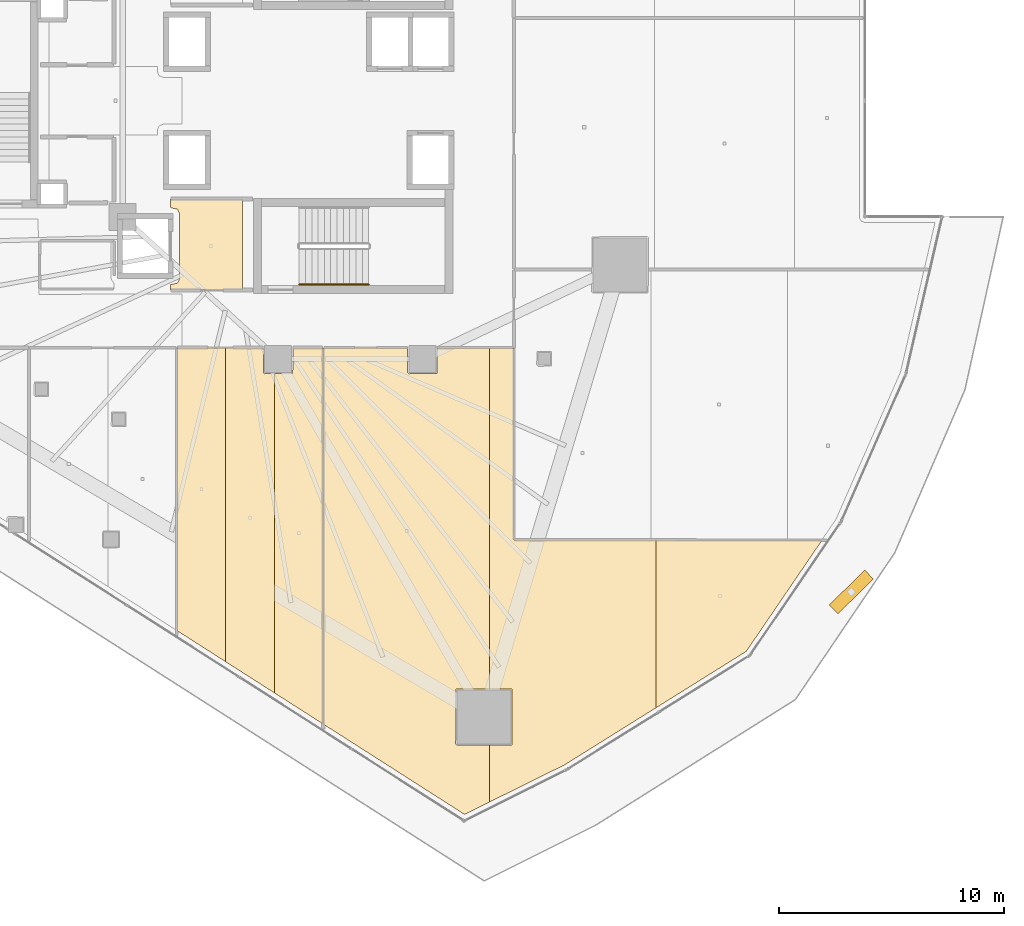
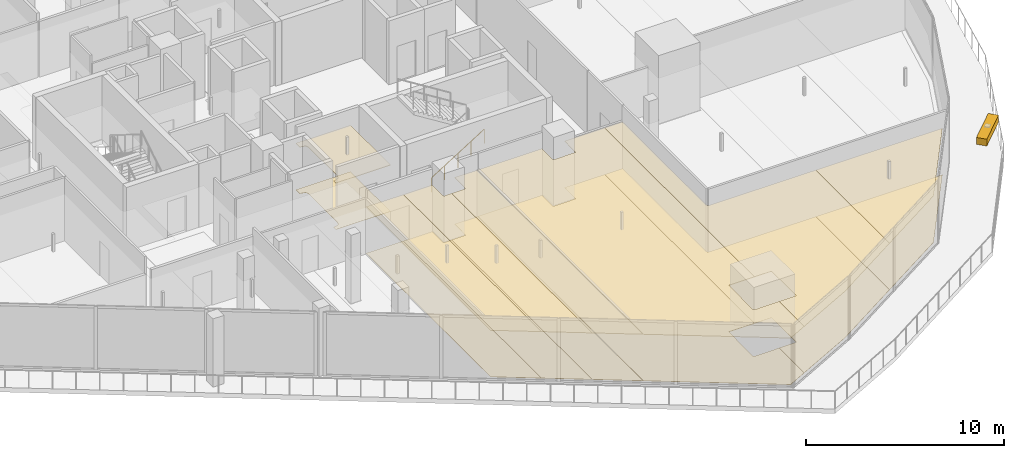
# One storey, part 40 of 46: 14 coverings, 1 railing, 1 shading device.
"""IFC4 building model written with IfcOpenShell, lengths in metres."""

from ifc_helpers import new_model, si_unit, direction, frame, origin, origin_2d, place, context, subcontext, project, spatial, polyline, rectangle, circle, outline, extrude, material, layer, layer_set, type_object, element, save


model = new_model("IFC4")

# Units and contexts
model_context = context("Model", 3, precision=1e-05, world=origin(), true_north=direction((0.0, 1.0)))
body_context = subcontext(model_context, "Body", "Model", "MODEL_VIEW")
ifc_project = project(units=[si_unit("LENGTHUNIT", "METRE"), si_unit("AREAUNIT", "SQUARE_METRE"), si_unit("VOLUMEUNIT", "CUBIC_METRE"), si_unit("PLANEANGLEUNIT", "RADIAN"), si_unit("MASSUNIT", "GRAM", prefix="KILO")], contexts=[model_context])

# Site, building, storey
site_placement = place(None, origin())
site = spatial("IfcSite", under=ifc_project, at=site_placement, CompositionType="ELEMENT")
building_placement = place(site_placement, origin())
building = spatial("IfcBuilding", under=site, at=building_placement, Name="Qorvath Tower", CompositionType="ELEMENT")
storey_placement = place(building_placement, frame((0.0, 0.0, 87.0)))
storey = spatial("IfcBuildingStorey", under=building, at=storey_placement, Name="L19", CompositionType="ELEMENT", Elevation=87.0)

# Coverings
ifc_material_1 = material(Name="Acoustic mineral fibre ceiling tile", Category="gypsum")
ifc_layer_1 = layer(ifc_material_1, 0.030029296875)
ifc_layer_set_1 = layer_set([ifc_layer_1], Name="COV-CEIL")
covering_type_1 = type_object("IfcCoveringType", Name="COV-CEIL", PredefinedType="CEILING", material=ifc_layer_set_1)
covering_1_placement = place(storey_placement, frame((0.0, 0.0, 2.85009765625)))
element("IfcCovering", 1, at=covering_1_placement, inside=storey, type_object=covering_type_1, Name="L19 Suspended Acoustic Ceiling 002", PredefinedType="CEILING", context=body_context, shape_type="SweptSolid", body=[
    extrude(outline(polyline([(-25.18994140625, -8.39501953125), (-25.18994140625, -4.35498046875), (-28.375, -4.35498046875), (-28.375, -4.739990234375), (-28.063232421875, -4.813232421875), (-27.989990234375, -4.989990234375), (-27.989990234375, -7.909912109375), (-28.063232421875, -8.086669921875), (-28.375, -8.159912109375), (-28.375, -8.39501953125), (-25.18994140625, -8.39501953125)])), origin(), (0.0, 0.0, 1.0), 0.030029296875),
])
covering_2_placement = place(storey_placement, frame((0.0, 0.0, 2.85009765625)))
element("IfcCovering", 2, at=covering_2_placement, inside=storey, type_object=covering_type_1, Name="L19 Suspended Acoustic Ceiling 022", PredefinedType="CEILING", context=body_context, shape_type="SweptSolid", body=[
    extrude(outline(polyline([(-25.9296875, -24.88818359375), (-25.9296875, -10.962890625), (-28.0888671875, -10.962890625), (-28.0888671875, -23.508056640625), (-25.9296875, -24.88818359375)])), origin(), (0.0, 0.0, 1.0), 0.030029296875),
])
covering_3_placement = place(storey_placement, frame((0.0, 0.0, 2.85009765625)))
element("IfcCovering", 3, at=covering_3_placement, inside=storey, type_object=covering_type_1, Name="L19 Suspended Acoustic Ceiling 023", PredefinedType="CEILING", context=body_context, shape_type="SweptSolid", body=[
    extrude(outline(polyline([(-23.7705078125, -26.26806640625), (-23.7705078125, -12.10400390625), (-24.199951171875, -12.110107421875), (-24.260009765625, -12.050048828125), (-24.260009765625, -10.962890625), (-25.9296875, -10.962890625), (-25.9296875, -24.88818359375), (-23.7705078125, -26.26806640625)])), origin(), (0.0, 0.0, 1.0), 0.030029296875),
])
covering_4_placement = place(storey_placement, frame((0.0, 0.0, 2.85009765625)))
element("IfcCovering", 4, at=covering_4_placement, inside=storey, type_object=covering_type_1, Name="L19 Suspended Acoustic Ceiling 024", PredefinedType="CEILING", context=body_context, shape_type="SweptSolid", body=[
    extrude(outline(polyline([(-21.611328125, -27.648193359375), (-21.611328125, -10.962890625), (-22.93994140625, -10.962890625), (-22.95751953125, -12.092529296875), (-23.7705078125, -12.10400390625), (-23.7705078125, -26.26806640625), (-21.611328125, -27.648193359375)])), origin(), (0.0, 0.0, 1.0), 0.030029296875),
])
covering_5_placement = place(storey_placement, frame((0.0, 0.0, 2.85009765625)))
element("IfcCovering", 5, at=covering_5_placement, inside=storey, type_object=covering_type_1, Name="L19 Suspended Acoustic Ceiling 025", PredefinedType="CEILING", context=body_context, shape_type="SweptSolid", body=[
    extrude(outline(polyline([(-21.59326171875, -27.65966796875), (-15.33349609375, -31.660400390625), (-14.221435546875, -31.10986328125), (-14.221435546875, -28.580322265625), (-15.664306640625, -28.5908203125), (-15.724365234375, -28.53076171875), (-15.706787109375, -26.08837890625), (-14.221435546875, -26.08837890625), (-14.221435546875, -10.962890625), (-16.5400390625, -10.962890625), (-16.5576171875, -12.092529296875), (-17.800048828125, -12.110107421875), (-17.860107421875, -12.050048828125), (-17.860107421875, -10.962890625), (-21.59326171875, -10.962890625), (-21.59326171875, -27.65966796875)])), origin(), (0.0, 0.0, 1.0), 0.030029296875),
])
covering_6_placement = place(storey_placement, frame((0.0, 0.0, 2.85009765625)))
element("IfcCovering", 6, at=covering_6_placement, inside=storey, type_object=covering_type_1, Name="L19 Suspended Acoustic Ceiling 026", PredefinedType="CEILING", context=body_context, shape_type="SweptSolid", body=[
    extrude(outline(polyline([(-14.221435546875, -10.962890625), (-14.221435546875, -26.08837890625), (-13.221923828125, -26.08837890625), (-13.221923828125, -28.5732421875), (-14.221435546875, -28.580322265625), (-14.221435546875, -31.10986328125), (-10.8984375, -29.465087890625), (-6.849609375, -26.9365234375), (-6.849609375, -19.495849609375), (-13.14990234375, -19.48828125), (-13.155029296875, -10.962890625), (-14.221435546875, -10.962890625)])), origin(), (0.0, 0.0, 1.0), 0.030029296875),
])
covering_7_placement = place(storey_placement, frame((0.0, 0.0, 2.85009765625)))
element("IfcCovering", 7, at=covering_7_placement, inside=storey, type_object=covering_type_1, Name="L19 Suspended Acoustic Ceiling 027", PredefinedType="CEILING", context=body_context, shape_type="SweptSolid", body=[
    extrude(outline(polyline([(-6.849609375, -19.495849609375), (-6.849609375, -26.9365234375), (-2.834228515625, -24.428955078125), (0.522216796875, -19.504638671875), (-6.849609375, -19.495849609375)])), origin(), (0.0, 0.0, 1.0), 0.030029296875),
])
ifc_material_2 = material(Name="Low-VOC modular carpet tile", Category="textile")
ifc_layer_2 = layer(ifc_material_2, 0.014892578125)
ifc_layer_set_2 = layer_set([ifc_layer_2], Name="COV-FLOOR-CPT")
covering_type_2 = type_object("IfcCoveringType", Name="COV-FLOOR-CPT", PredefinedType="FLOORING", material=ifc_layer_set_2)
covering_8_placement = place(storey_placement, origin())
element("IfcCovering", 8, at=covering_8_placement, inside=storey, type_object=covering_type_2, Name="L19 Floor Finish 022", PredefinedType="FLOORING", context=body_context, shape_type="SweptSolid", body=[
    extrude(outline(polyline([(-25.9296875, -24.88818359375), (-25.9296875, -10.962890625), (-28.0888671875, -10.962890625), (-28.0888671875, -23.508056640625), (-25.9296875, -24.88818359375)])), origin(), (0.0, 0.0, 1.0), 0.014892578125),
])
covering_9_placement = place(storey_placement, origin())
element("IfcCovering", 9, at=covering_9_placement, inside=storey, type_object=covering_type_2, Name="L19 Floor Finish 023", PredefinedType="FLOORING", context=body_context, shape_type="SweptSolid", body=[
    extrude(outline(polyline([(-23.7705078125, -26.26806640625), (-23.7705078125, -12.10400390625), (-24.199951171875, -12.110107421875), (-24.260009765625, -12.050048828125), (-24.260009765625, -10.962890625), (-25.9296875, -10.962890625), (-25.9296875, -24.88818359375), (-23.7705078125, -26.26806640625)])), origin(), (0.0, 0.0, 1.0), 0.014892578125),
])
covering_10_placement = place(storey_placement, origin())
element("IfcCovering", 10, at=covering_10_placement, inside=storey, type_object=covering_type_2, Name="L19 Floor Finish 024", PredefinedType="FLOORING", context=body_context, shape_type="SweptSolid", body=[
    extrude(outline(polyline([(-21.611328125, -27.648193359375), (-21.611328125, -10.962890625), (-22.93994140625, -10.962890625), (-22.95751953125, -12.092529296875), (-23.7705078125, -12.10400390625), (-23.7705078125, -26.26806640625), (-21.611328125, -27.648193359375)])), origin(), (0.0, 0.0, 1.0), 0.014892578125),
])
covering_11_placement = place(storey_placement, origin())
element("IfcCovering", 11, at=covering_11_placement, inside=storey, type_object=covering_type_2, Name="L19 Floor Finish 025", PredefinedType="FLOORING", context=body_context, shape_type="SweptSolid", body=[
    extrude(outline(polyline([(-21.59326171875, -27.65966796875), (-15.33349609375, -31.660400390625), (-14.221435546875, -31.10986328125), (-14.221435546875, -28.580322265625), (-15.664306640625, -28.5908203125), (-15.724365234375, -28.53076171875), (-15.706787109375, -26.08837890625), (-14.221435546875, -26.08837890625), (-14.221435546875, -10.962890625), (-16.5400390625, -10.962890625), (-16.5576171875, -12.092529296875), (-17.800048828125, -12.110107421875), (-17.860107421875, -12.050048828125), (-17.860107421875, -10.962890625), (-21.59326171875, -10.962890625), (-21.59326171875, -27.65966796875)])), origin(), (0.0, 0.0, 1.0), 0.014892578125),
])
covering_12_placement = place(storey_placement, origin())
element("IfcCovering", 12, at=covering_12_placement, inside=storey, type_object=covering_type_2, Name="L19 Floor Finish 026", PredefinedType="FLOORING", context=body_context, shape_type="SweptSolid", body=[
    extrude(outline(polyline([(-14.221435546875, -10.962890625), (-14.221435546875, -26.08837890625), (-13.221923828125, -26.08837890625), (-13.221923828125, -28.5732421875), (-14.221435546875, -28.580322265625), (-14.221435546875, -31.10986328125), (-10.8984375, -29.465087890625), (-6.849609375, -26.9365234375), (-6.849609375, -19.495849609375), (-13.14990234375, -19.48828125), (-13.155029296875, -10.962890625), (-14.221435546875, -10.962890625)])), origin(), (0.0, 0.0, 1.0), 0.014892578125),
])
covering_13_placement = place(storey_placement, origin())
element("IfcCovering", 13, at=covering_13_placement, inside=storey, type_object=covering_type_2, Name="L19 Floor Finish 027", PredefinedType="FLOORING", context=body_context, shape_type="SweptSolid", body=[
    extrude(outline(polyline([(-6.849609375, -19.495849609375), (-6.849609375, -26.9365234375), (-2.834228515625, -24.428955078125), (0.522216796875, -19.504638671875), (-6.849609375, -19.495849609375)])), origin(), (0.0, 0.0, 1.0), 0.014892578125),
])
ifc_material_3 = material(Name="Polished epoxy terrazzo flooring", Category="concrete")
ifc_layer_3 = layer(ifc_material_3, 0.02001953125)
ifc_layer_set_3 = layer_set([ifc_layer_3], Name="COV-FLOOR-TRZ")
covering_type_3 = type_object("IfcCoveringType", Name="COV-FLOOR-TRZ", PredefinedType="FLOORING", material=ifc_layer_set_3)
covering_14_placement = place(storey_placement, origin())
element("IfcCovering", 14, at=covering_14_placement, inside=storey, type_object=covering_type_3, Name="L19 Floor Finish 002", PredefinedType="FLOORING", context=body_context, shape_type="SweptSolid", body=[
    extrude(outline(polyline([(-25.18994140625, -8.39501953125), (-25.18994140625, -4.35498046875), (-28.375, -4.35498046875), (-28.375, -4.739990234375), (-28.063232421875, -4.813232421875), (-27.989990234375, -4.989990234375), (-27.989990234375, -7.909912109375), (-28.063232421875, -8.086669921875), (-28.375, -8.159912109375), (-28.375, -8.39501953125), (-25.18994140625, -8.39501953125)])), origin(), (0.0, 0.0, 1.0), 0.014892578125),
])

# Railing
ifc_material_4 = material(Name="Brushed stainless steel AISI 304", Category="steel")
railing_type = type_object("IfcRailingType", Name="RL-STR-HND", PredefinedType="HANDRAIL", material=ifc_material_4)
railing_placement = place(storey_placement, frame((-22.669921875, -8.14990234375, 0.175048828125)))
element("IfcRailing", 15, at=railing_placement, inside=storey, type_object=railing_type, Name="L19 TS2 stair handrail 1", PredefinedType="HANDRAIL", context=body_context, shape_type="SweptSolid", body=[
    extrude(circle(Radius=0.02392578125, at=origin_2d()), frame((0.0, 0.0, 0.8759765625), z_axis=(0.847979421464, 0.0, 0.530029150871), x_axis=(0.0, 1.0, 0.0)), (0.0, 0.0, 1.0), 3.632080078125),
    extrude(circle(Radius=0.02099609375, at=origin_2d()), origin(), (0.0, 0.0, 1.0), 0.851806640625),
    extrude(circle(Radius=0.02099609375, at=origin_2d()), frame((0.77001953125, 0.0, 0.481201171875)), (0.0, 0.0, 1.0), 0.851806640625),
    extrude(circle(Radius=0.02099609375, at=origin_2d()), frame((1.5400390625, 0.0, 0.96240234375)), (0.0, 0.0, 1.0), 0.851806640625),
    extrude(circle(Radius=0.02099609375, at=origin_2d()), frame((2.309814453125, 0.0, 1.44384765625)), (0.0, 0.0, 1.0), 0.851806640625),
    extrude(circle(Radius=0.02099609375, at=origin_2d()), frame((3.079833984375, 0.0, 1.925048828125)), (0.0, 0.0, 1.0), 0.851806640625),
])

# Shading device
ifc_material_5 = material(Name="Anodised bronze-champagne aluminium", Category="aluminium")
shading_device_type = type_object("IfcShadingDeviceType", Name="SD-LOUVRE", PredefinedType="JALOUSIE", material=ifc_material_5)
shading_device_placement = place(storey_placement, frame((1.830078125, -21.790771484375, 3.5), z_axis=(0.0, 0.0, 1.0), x_axis=(0.714643618308, 0.699488741019, 0.0)))
element("IfcShadingDevice", 16, at=shading_device_placement, inside=storey, type_object=shading_device_type, Name="Sinusoidal Wave Louvre Blade L19-03", PredefinedType="NOTDEFINED", context=body_context, shape_type="SweptSolid", body=[
    extrude(rectangle(XDim=2.199951171875, YDim=0.550048828125, at=origin_2d()), origin(), (0.0, 0.0, 1.0), 0.419921875),
])

save(model, "model.ifc")
